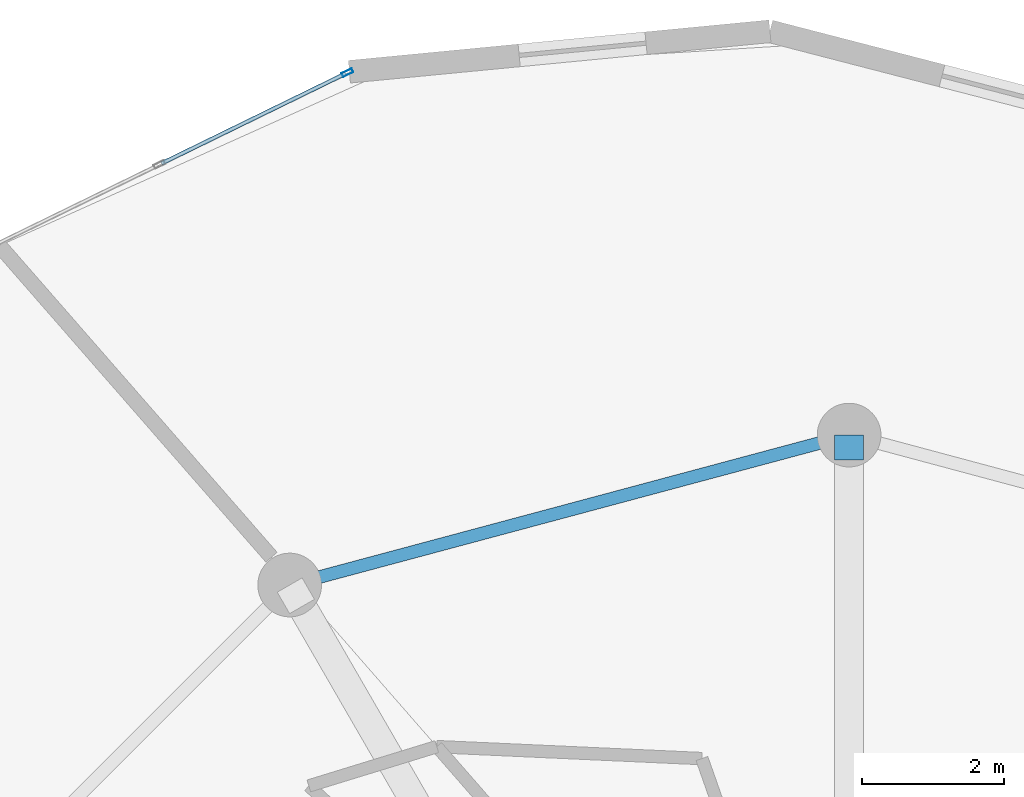
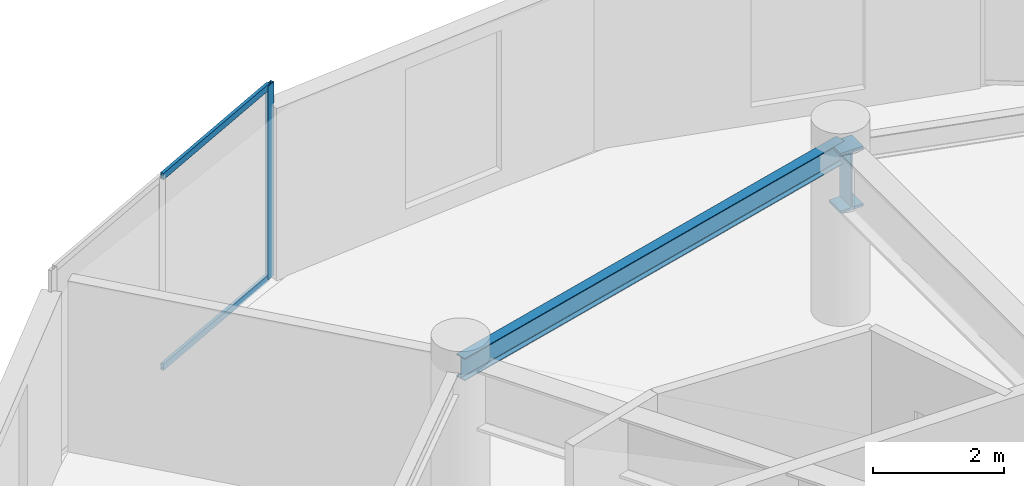
# One storey, part 13 of 22: 3 members, 2 beams, 1 element without a shape of its own.
"""IFC4 building model written with IfcOpenShell, lengths in metres."""

from ifc_helpers import new_model, si_unit, direction, frame, origin, origin_2d, place, context, subcontext, project, spatial, hollow_rectangle, i_section, extrude, source, transform, mapped, material, layer, layer_set, material_profile, profile_set, type_object, element, aggregate, save


model = new_model("IFC4")

# Units and contexts
model_context = context("Model", 3, precision=1e-05, world=origin(), true_north=direction((0.0, 1.0)))
body_context = subcontext(model_context, "Body", "Model", "MODEL_VIEW")
ifc_project = project(units=[si_unit("LENGTHUNIT", "METRE"), si_unit("AREAUNIT", "SQUARE_METRE"), si_unit("VOLUMEUNIT", "CUBIC_METRE"), si_unit("PLANEANGLEUNIT", "RADIAN"), si_unit("MASSUNIT", "GRAM", prefix="KILO")], contexts=[model_context])

# Site, building, storey
site_placement = place(None, origin())
site = spatial("IfcSite", under=ifc_project, at=site_placement, CompositionType="ELEMENT")
building_placement = place(site_placement, origin())
building = spatial("IfcBuilding", under=site, at=building_placement, Name="Solvirekh Grand Hotel", CompositionType="ELEMENT")
storey_placement = place(building_placement, frame((0.0, 0.0, 230.800048828125)))
storey = spatial("IfcBuildingStorey", under=building, at=storey_placement, Name="L60", CompositionType="ELEMENT", Elevation=230.800048828125)

# Beams
ifc_material_1 = material(Name="Steel S355", Category="steel")
ifc_material_profile_1 = material_profile(ifc_material_1, i_section(OverallWidth=0.180908203125, OverallDepth=0.4169921875, WebThickness=0.010009765625, FlangeThickness=0.01611328125, FilletRadius=0.011962890625, at=origin_2d()), Name="W410X85")
ifc_profile_set_1 = profile_set([ifc_material_profile_1], Name="Steel S355")
beam_type_1 = type_object("IfcBeamType", Name="Spandrel_Ring_W410", PredefinedType="SPANDREL", material=ifc_profile_set_1)
beam_1_placement = place(storey_placement, frame((0.0, 15.800048828125, 2.991943359375), z_axis=(-0.965920601923, -0.258838541915, 0.0), x_axis=(0.258838541915, -0.965920601923, 0.0)))
element("IfcBeam", 1, at=beam_1_placement, inside=storey, type_object=beam_type_1, Name="L60 perimeter spandrel beam 4", PredefinedType="SPANDREL", context=body_context, shape_type="SweptSolid", body=[
    extrude(i_section(OverallWidth=0.180908203125, OverallDepth=0.4169921875, WebThickness=0.010009765625, FlangeThickness=0.01611328125, FilletRadius=0.011962890625, at=origin_2d()), origin(), (0.0, 0.0, 1.0), 8.1787109375),
])
ifc_material_2 = material(Name="Steel S460", Category="steel")
ifc_material_profile_2 = material_profile(ifc_material_2, i_section(OverallWidth=0.405029296875, OverallDepth=1.117919921875, WebThickness=0.02587890625, FlangeThickness=0.048095703125, FilletRadius=0.02392578125, at=origin_2d()), Name="W1100X499")
ifc_profile_set_2 = profile_set([ifc_material_profile_2], Name="Steel S460")
beam_type_2 = type_object("IfcBeamType", Name="TransferGirder_W1100", PredefinedType="USERDEFINED", material=ifc_profile_set_2)
beam_2_placement = place(storey_placement, frame((0.0, 15.449951171875, 2.640869140625), z_axis=(0.0, 1.0, 0.0), x_axis=(-1.0, 0.0, 0.0)))
element("IfcBeam", 2, at=beam_2_placement, inside=storey, type_object=beam_type_2, Name="L60 outer radial transfer girder 4B", ObjectType="TRANSFER GIRDER", PredefinedType="USERDEFINED", context=body_context, shape_type="SweptSolid", body=[
    extrude(i_section(OverallWidth=0.405029296875, OverallDepth=1.117919921875, WebThickness=0.02587890625, FlangeThickness=0.048095703125, FilletRadius=0.02392578125, at=origin_2d()), origin(), (0.0, 0.0, 1.0), 0.35009765625),
])

# Curtain wall, members
ifc_material_3 = material(Name="Anodized Bronze Aluminium 6063-T6", Category="aluminium")
ifc_layer = layer(ifc_material_3, 0.159912109375)
ifc_layer_set = layer_set([ifc_layer], Name="Anodized Bronze Aluminium 6063-T6")
curtain_wall_type = type_object("IfcCurtainWallType", Name="CW_Sys4_HighZoneFlushBronzeCW", PredefinedType="NOTDEFINED", material=ifc_layer_set)
curtain_wall_placement = place(storey_placement, origin())
curtain_wall = element("IfcCurtainWall", 3, at=curtain_wall_placement, inside=storey, type_object=curtain_wall_type, Name="L60 unitised bronze-glass curtain wall CW-L60-C11", PredefinedType="NOTDEFINED")
ifc_material_profile_3 = material_profile(ifc_material_3, hollow_rectangle(XDim=0.06005859375, YDim=0.159912109375, WallThickness=0.0048828125, at=origin_2d()), Name="ALU RHS 160X60X5")
ifc_profile_set_3 = profile_set([ifc_material_profile_3], Name="Anodized Bronze Aluminium 6063-T6")
member_type_1 = type_object("IfcMemberType", Name="CWMullion_Sys4", PredefinedType="MULLION", material=ifc_profile_set_3)
shared_shape_1 = source(origin(), body_context, "Body", "SweptSolid", [
    extrude(hollow_rectangle(XDim=0.06005859375, YDim=0.159912109375, WallThickness=0.0048828125, at=origin_2d()), origin(), (0.0, 0.0, 1.0), 3.599853515625),
])
member_1_placement = place(storey_placement, frame((-7.083984375, 20.9189453125, 0.0), z_axis=(0.0, 0.0, 1.0), x_axis=(0.438882497349, -0.898544463853, 0.0)))
member_1 = element("IfcMember", 4, at=member_1_placement, type_object=member_type_1, Name="U04 mullion 1", PredefinedType="MULLION", context=body_context, shape_type="MappedRepresentation", body=[
    mapped(shared_shape_1, transform((0.0, 0.0, 0.0), x_axis=(1.0, 0.0, 0.0), y_axis=(0.0, 1.0, 0.0), z_axis=(0.0, 0.0, 1.0), scale=1.0)),
])
ifc_material_profile_4 = material_profile(ifc_material_3, hollow_rectangle(XDim=0.054931640625, YDim=0.1201171875, WallThickness=0.00390625, at=origin_2d()), Name="ALU RHS 120X55X4")
ifc_profile_set_4 = profile_set([ifc_material_profile_4], Name="Anodized Bronze Aluminium 6063-T6")
member_type_2 = type_object("IfcMemberType", Name="CWTransom_Sys4", PredefinedType="USERDEFINED", material=ifc_profile_set_4)
shared_shape_2 = source(origin(), body_context, "Body", "SweptSolid", [
    extrude(hollow_rectangle(XDim=0.054931640625, YDim=0.1201171875, WallThickness=0.00390625, at=origin_2d()), origin(), (0.0, 0.0, 1.0), 2.893798828125),
])
member_2_placement = place(storey_placement, frame((-7.11083984375, 20.90576171875, 0.02734375), z_axis=(-0.89853966105, -0.438892330214, 0.0), x_axis=(0.438892330214, -0.89853966105, 0.0)))
member_2 = element("IfcMember", 5, at=member_2_placement, type_object=member_type_2, Name="U04 transom 1.1", ObjectType="TRANSOM", PredefinedType="USERDEFINED", context=body_context, shape_type="MappedRepresentation", body=[
    mapped(shared_shape_2, transform((0.0, 0.0, 0.0), x_axis=(1.0, 0.0, 0.0), y_axis=(0.0, 1.0, 0.0), z_axis=(0.0, 0.0, 1.0), scale=1.0)),
])
member_3_placement = place(storey_placement, frame((-7.11083984375, 20.90576171875, 3.572509765625), z_axis=(-0.89853966105, -0.438892330214, 0.0), x_axis=(0.438892330214, -0.89853966105, 0.0)))
member_3 = element("IfcMember", 6, at=member_3_placement, type_object=member_type_2, Name="U04 transom 1.2", ObjectType="TRANSOM", PredefinedType="USERDEFINED", context=body_context, shape_type="MappedRepresentation", body=[
    mapped(shared_shape_2, transform((0.0, 0.0, 0.0), x_axis=(1.0, 0.0, 0.0), y_axis=(0.0, 1.0, 0.0), z_axis=(0.0, 0.0, 1.0), scale=1.0)),
])
aggregate(curtain_wall, [member_1, member_2, member_3])

save(model, "model.ifc")
